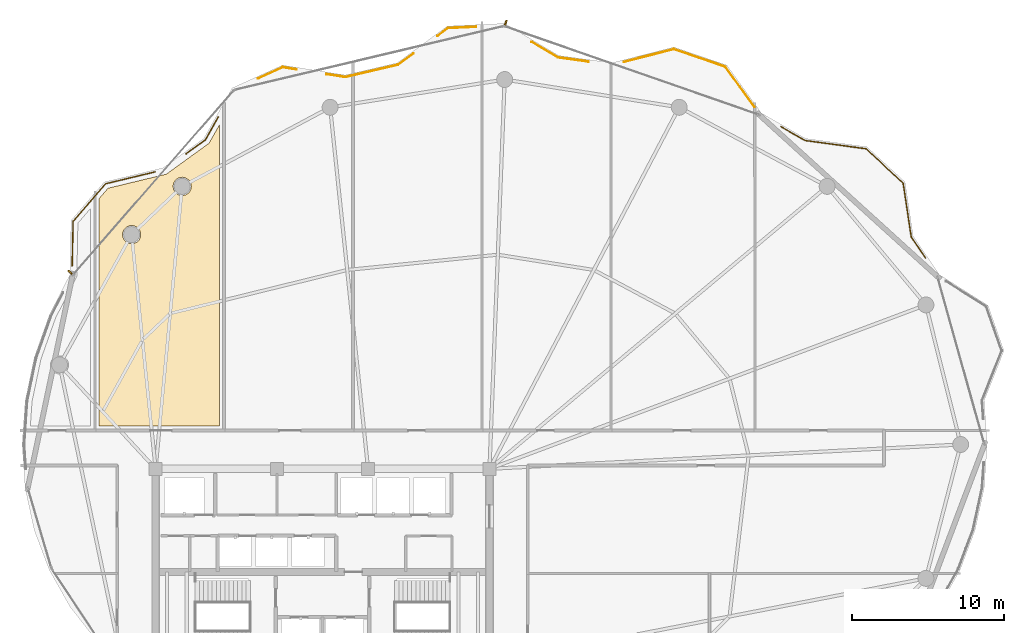
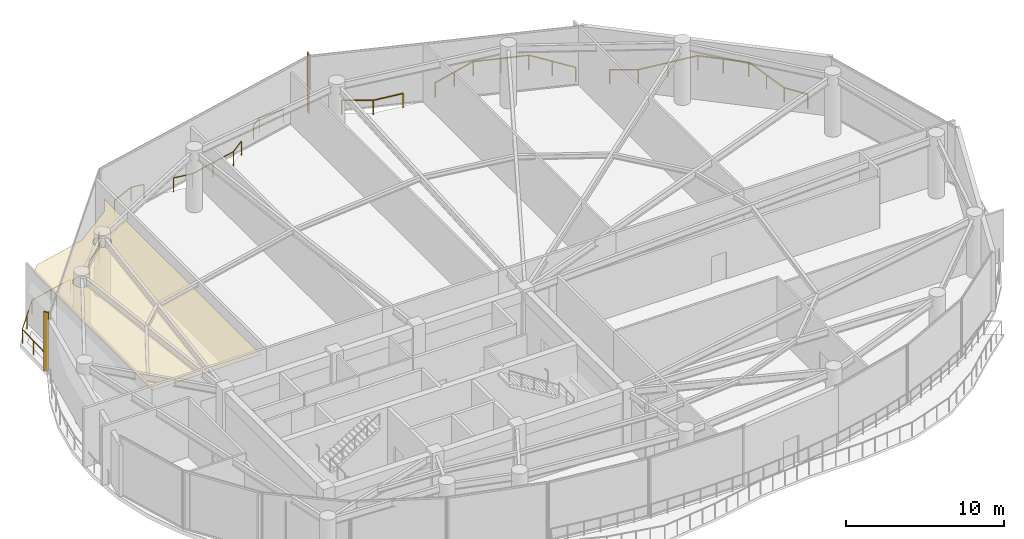
# One storey, part 28 of 28: 8 railings, 2 shading devices, 1 covering.
"""IFC4 building model written with IfcOpenShell, lengths in metres."""

from ifc_helpers import new_model, si_unit, direction, frame, origin, origin_2d, place, context, subcontext, project, spatial, polyline, rectangle, outline, extrude, material, layer, layer_set, type_object, element, save


model = new_model("IFC4")

# Units and contexts
model_context = context("Model", 3, precision=1e-05, world=origin(), true_north=direction((0.0, 1.0)))
body_context = subcontext(model_context, "Body", "Model", "MODEL_VIEW")
ifc_project = project(units=[si_unit("LENGTHUNIT", "METRE"), si_unit("AREAUNIT", "SQUARE_METRE"), si_unit("VOLUMEUNIT", "CUBIC_METRE"), si_unit("PLANEANGLEUNIT", "RADIAN"), si_unit("MASSUNIT", "GRAM", prefix="KILO")], contexts=[model_context])

# Site, building, storey
site_placement = place(None, origin())
site = spatial("IfcSite", under=ifc_project, at=site_placement, CompositionType="ELEMENT")
building_placement = place(site_placement, origin())
building = spatial("IfcBuilding", under=site, at=building_placement, Name="Kazevale Care Tower and Concert Hall", CompositionType="ELEMENT")
storey_placement = place(building_placement, frame((0.0, 0.0, 190.800048828125)))
storey = spatial("IfcBuildingStorey", under=building, at=storey_placement, Name="L50", CompositionType="ELEMENT", Elevation=190.800048828125)

# Covering
ifc_material_1 = material(Name="Acoustic Plaster and Hinoki Wood", Category="wood")
ifc_layer = layer(ifc_material_1, 0.0400390625)
ifc_layer_set = layer_set([ifc_layer], Name="Acoustic Plaster and Hinoki Wood")
covering_type = type_object("IfcCoveringType", Name="Acoustic Perforated Wood-Gypsum Ceiling", PredefinedType="CEILING", material=ifc_layer_set)
covering_placement = place(storey_placement, frame((0.0, 0.0, 3.909912109375)))
element("IfcCovering", 1, at=covering_placement, inside=storey, type_object=covering_type, Name="clg:L50:2", PredefinedType="CEILING", context=body_context, shape_type="SweptSolid", body=[
    extrude(outline(polyline([(26.219970703125, 39.205078125), (18.280029296875, 39.205078125), (18.280029296875, 54.2119140625), (18.864990234375, 54.888916015625), (22.7099609375, 55.818115234375), (25.52490234375, 57.85791015625), (26.219970703125, 59.093994140625), (26.219970703125, 39.205078125)]), holes=[polyline([(24.30908203125, 55.241943359375), (24.177978515625, 55.43798828125), (23.98193359375, 55.569091796875), (23.75, 55.614990234375), (23.51806640625, 55.569091796875), (23.322021484375, 55.43798828125), (23.19091796875, 55.241943359375), (23.14501953125, 55.010009765625), (23.19091796875, 54.778076171875), (23.322021484375, 54.58203125), (23.51806640625, 54.450927734375), (23.75, 54.405029296875), (23.98193359375, 54.450927734375), (24.177978515625, 54.58203125), (24.30908203125, 54.778076171875), (24.35498046875, 55.010009765625), (24.30908203125, 55.241943359375)]), polyline([(21.012939453125, 51.947998046875), (20.923095703125, 52.166015625), (20.756103515625, 52.3330078125), (20.5380859375, 52.423095703125), (20.302001953125, 52.423095703125), (20.083984375, 52.3330078125), (19.9169921875, 52.166015625), (19.826904296875, 51.947998046875), (19.826904296875, 51.7119140625), (19.9169921875, 51.493896484375), (20.083984375, 51.326904296875), (20.302001953125, 51.237060546875), (20.5380859375, 51.237060546875), (20.756103515625, 51.326904296875), (20.923095703125, 51.493896484375), (21.012939453125, 51.7119140625), (21.012939453125, 51.947998046875)])]), origin(), (0.0, 0.0, 1.0), 0.0400390625),
])

# Railings
ifc_material_2 = material(Name="Anodised Bronze Aluminium and Laminated Glass", Category="aluminium")
railing_type = type_object("IfcRailingType", Name="Balcony and Terrace Balustrade 1120", PredefinedType="BALUSTRADE", material=ifc_material_2)
railing_1_placement = place(storey_placement, frame((16.5009765625, 49.77392578125, 0.0)))
element("IfcRailing", 2, at=railing_1_placement, inside=storey, type_object=railing_type, Name="rail:L50:perim:2", PredefinedType="BALUSTRADE", context=body_context, shape_type="SweptSolid", body=[
    extrude(rectangle(XDim=0.048095703125, YDim=0.048095703125, at=origin_2d()), frame((0.0, 0.0, 1.09619140625), z_axis=(0.020776893953, 0.99978413704, 0.0), x_axis=(-0.99978413704, 0.020776893953, 0.0)), (0.0, 0.0, 1.0), 2.937744140625),
    extrude(rectangle(XDim=0.048095703125, YDim=0.048095703125, at=origin_2d()), frame((0.06103515625, 2.93701171875, 1.09619140625), z_axis=(0.653442230106, 0.75697638795, 0.0), x_axis=(-0.75697638795, 0.653442230106, 0.0)), (0.0, 0.0, 1.0), 3.256591796875),
    extrude(rectangle(XDim=0.048095703125, YDim=0.048095703125, at=origin_2d()), frame((2.18896484375, 5.402099609375, 1.09619140625), z_axis=(0.972048614054, 0.234779666741, 0.0), x_axis=(-0.234779666741, 0.972048614054, 0.0)), (0.0, 0.0, 1.0), 3.373291015625),
    extrude(rectangle(XDim=0.0419921875, YDim=0.0419921875, at=origin_2d()), origin(), (0.0, 0.0, 1.0), 1.072021484375),
    extrude(rectangle(XDim=0.0419921875, YDim=0.0419921875, at=origin_2d()), frame((0.030517578125, 1.468505859375, 0.0)), (0.0, 0.0, 1.0), 1.072021484375),
    extrude(rectangle(XDim=0.0419921875, YDim=0.0419921875, at=origin_2d()), frame((0.06103515625, 2.93701171875, 0.0)), (0.0, 0.0, 1.0), 1.072021484375),
    extrude(rectangle(XDim=0.0419921875, YDim=0.0419921875, at=origin_2d()), frame((1.125, 4.16943359375, 0.0)), (0.0, 0.0, 1.0), 1.072021484375),
    extrude(rectangle(XDim=0.0419921875, YDim=0.0419921875, at=origin_2d()), frame((2.18896484375, 5.402099609375, 0.0)), (0.0, 0.0, 1.0), 1.072021484375),
    extrude(rectangle(XDim=0.0419921875, YDim=0.0419921875, at=origin_2d()), frame((3.82861328125, 5.798095703125, 0.0)), (0.0, 0.0, 1.0), 1.072021484375),
    extrude(rectangle(XDim=0.0419921875, YDim=0.0419921875, at=origin_2d()), frame((5.468017578125, 6.194091796875, 0.0)), (0.0, 0.0, 1.0), 1.072021484375),
])
railing_2_placement = place(storey_placement, frame((24.01708984375, 57.159912109375, 0.0)))
element("IfcRailing", 3, at=railing_2_placement, inside=storey, type_object=railing_type, Name="rail:L50:perim:3", PredefinedType="BALUSTRADE", context=body_context, shape_type="SweptSolid", body=[
    extrude(rectangle(XDim=0.048095703125, YDim=0.048095703125, at=origin_2d()), frame((0.0, 0.0, 1.09619140625), z_axis=(0.809493304449, 0.587129108504, 0.0), x_axis=(-0.587129108504, 0.809493304449, 0.0)), (0.0, 0.0, 1.0), 1.56005859375),
    extrude(rectangle(XDim=0.048095703125, YDim=0.048095703125, at=origin_2d()), frame((1.262939453125, 0.916015625, 1.09619140625), z_axis=(0.490315047546, 0.871545267987, 0.0), x_axis=(-0.871545267987, 0.490315047546, 0.0)), (0.0, 0.0, 1.0), 1.723388671875),
    extrude(rectangle(XDim=0.0419921875, YDim=0.0419921875, at=origin_2d()), origin(), (0.0, 0.0, 1.0), 1.072021484375),
    extrude(rectangle(XDim=0.0419921875, YDim=0.0419921875, at=origin_2d()), frame((1.262939453125, 0.916015625, 0.0)), (0.0, 0.0, 1.0), 1.072021484375),
    extrude(rectangle(XDim=0.0419921875, YDim=0.0419921875, at=origin_2d()), frame((2.10791015625, 2.41796875, 0.0)), (0.0, 0.0, 1.0), 1.072021484375),
])
railing_3_placement = place(storey_placement, frame((28.763916015625, 62.125, 0.0)))
element("IfcRailing", 4, at=railing_3_placement, inside=storey, type_object=railing_type, Name="rail:L50:perim:4", PredefinedType="BALUSTRADE", context=body_context, shape_type="SweptSolid", body=[
    extrude(rectangle(XDim=0.048095703125, YDim=0.048095703125, at=origin_2d()), frame((0.0, 0.0, 1.09619140625), z_axis=(0.91054113019, 0.413418492853, 0.0), x_axis=(-0.413418492853, 0.91054113019, 0.0)), (0.0, 0.0, 1.0), 1.7705078125),
    extrude(rectangle(XDim=0.048095703125, YDim=0.048095703125, at=origin_2d()), frame((1.612060546875, 0.73193359375, 1.09619140625), z_axis=(0.98790083214, -0.155086897758, 0.0), x_axis=(0.155086897758, 0.98790083214, 0.0)), (0.0, 0.0, 1.0), 0.902099609375),
    extrude(rectangle(XDim=0.0419921875, YDim=0.0419921875, at=origin_2d()), origin(), (0.0, 0.0, 1.0), 1.072021484375),
    extrude(rectangle(XDim=0.0419921875, YDim=0.0419921875, at=origin_2d()), frame((1.612060546875, 0.73193359375, 0.0)), (0.0, 0.0, 1.0), 1.072021484375),
    extrude(rectangle(XDim=0.0419921875, YDim=0.0419921875, at=origin_2d()), frame((2.503173828125, 0.592041015625, 0.0)), (0.0, 0.0, 1.0), 1.072021484375),
])
railing_4_placement = place(storey_placement, frame((33.2509765625, 62.406005859375, 0.0)))
element("IfcRailing", 5, at=railing_4_placement, inside=storey, type_object=railing_type, Name="rail:L50:perim:5", PredefinedType="BALUSTRADE", context=body_context, shape_type="SweptSolid", body=[
    extrude(rectangle(XDim=0.048095703125, YDim=0.048095703125, at=origin_2d()), frame((0.0, 0.0, 1.09619140625), z_axis=(0.987942088413, -0.154823867485, 0.0), x_axis=(0.154823867485, 0.987942088413, 0.0)), (0.0, 0.0, 1.0), 1.266357421875),
    extrude(rectangle(XDim=0.048095703125, YDim=0.048095703125, at=origin_2d()), frame((1.2509765625, -0.196044921875, 1.09619140625), z_axis=(0.973807958737, 0.227372072823, 0.0), x_axis=(-0.227372072823, 0.973807958737, 0.0)), (0.0, 0.0, 1.0), 3.57568359375),
    extrude(rectangle(XDim=0.048095703125, YDim=0.048095703125, at=origin_2d()), frame((4.73291015625, 0.616943359375, 1.09619140625), z_axis=(0.805798451747, 0.592189881003, 0.0), x_axis=(-0.592189881003, 0.805798451747, 0.0)), (0.0, 0.0, 1.0), 1.2548828125),
    extrude(rectangle(XDim=0.0419921875, YDim=0.0419921875, at=origin_2d()), origin(), (0.0, 0.0, 1.0), 1.072021484375),
    extrude(rectangle(XDim=0.0419921875, YDim=0.0419921875, at=origin_2d()), frame((1.2509765625, -0.196044921875, 0.0)), (0.0, 0.0, 1.0), 1.072021484375),
    extrude(rectangle(XDim=0.0419921875, YDim=0.0419921875, at=origin_2d()), frame((2.991943359375, 0.21044921875, 0.0)), (0.0, 0.0, 1.0), 1.072021484375),
    extrude(rectangle(XDim=0.0419921875, YDim=0.0419921875, at=origin_2d()), frame((4.73291015625, 0.616943359375, 0.0)), (0.0, 0.0, 1.0), 1.072021484375),
    extrude(rectangle(XDim=0.0419921875, YDim=0.0419921875, at=origin_2d()), frame((5.744140625, 1.360107421875, 0.0)), (0.0, 0.0, 1.0), 1.072021484375),
])
railing_5_placement = place(storey_placement, frame((40.56396484375, 64.9189453125, 0.0)))
element("IfcRailing", 6, at=railing_5_placement, inside=storey, type_object=railing_type, Name="rail:L50:perim:6", PredefinedType="BALUSTRADE", context=body_context, shape_type="SweptSolid", body=[
    extrude(rectangle(XDim=0.048095703125, YDim=0.048095703125, at=origin_2d()), frame((0.0, 0.0, 1.09619140625), z_axis=(0.805713579929, 0.592305349561, 0.0), x_axis=(-0.592305349561, 0.805713579929, 0.0)), (0.0, 0.0, 1.0), 0.876220703125),
    extrude(rectangle(XDim=0.048095703125, YDim=0.048095703125, at=origin_2d()), frame((0.7060546875, 0.51904296875, 1.09619140625), z_axis=(0.998940261438, 0.046025580694, 0.0), x_axis=(-0.046025580694, 0.998940261438, 0.0)), (0.0, 0.0, 1.0), 1.845947265625),
    extrude(rectangle(XDim=0.0419921875, YDim=0.0419921875, at=origin_2d()), origin(), (0.0, 0.0, 1.0), 1.072021484375),
    extrude(rectangle(XDim=0.0419921875, YDim=0.0419921875, at=origin_2d()), frame((0.7060546875, 0.51904296875, 0.0)), (0.0, 0.0, 1.0), 1.072021484375),
    extrude(rectangle(XDim=0.0419921875, YDim=0.0419921875, at=origin_2d()), frame((2.550048828125, 0.60400390625, 0.0)), (0.0, 0.0, 1.0), 1.072021484375),
])
railing_6_placement = place(storey_placement, frame((46.783935546875, 64.529052734375, 0.0)))
element("IfcRailing", 7, at=railing_6_placement, inside=storey, type_object=railing_type, Name="rail:L50:perim:7", PredefinedType="BALUSTRADE", context=body_context, shape_type="SweptSolid", body=[
    extrude(rectangle(XDim=0.048095703125, YDim=0.048095703125, at=origin_2d()), frame((0.0, 0.0, 1.09619140625), z_axis=(0.859958006391, -0.510364798202, 0.0), x_axis=(0.510364798202, 0.859958006391, 0.0)), (0.0, 0.0, 1.0), 2.010498046875),
    extrude(rectangle(XDim=0.048095703125, YDim=0.048095703125, at=origin_2d()), frame((1.72900390625, -1.026123046875, 1.09619140625), z_axis=(0.990617777662, -0.136661693898, 0.0), x_axis=(0.136661693898, 0.990617777662, 0.0)), (0.0, 0.0, 1.0), 2.0400390625),
    extrude(rectangle(XDim=0.0419921875, YDim=0.0419921875, at=origin_2d()), origin(), (0.0, 0.0, 1.0), 1.072021484375),
    extrude(rectangle(XDim=0.0419921875, YDim=0.0419921875, at=origin_2d()), frame((1.72900390625, -1.026123046875, 0.0)), (0.0, 0.0, 1.0), 1.072021484375),
    extrude(rectangle(XDim=0.0419921875, YDim=0.0419921875, at=origin_2d()), frame((3.75, -1.304931640625, 0.0)), (0.0, 0.0, 1.0), 1.072021484375),
])
railing_7_placement = place(storey_placement, frame((52.8779296875, 63.212890625, 0.0)))
element("IfcRailing", 8, at=railing_7_placement, inside=storey, type_object=railing_type, Name="rail:L50:perim:8", PredefinedType="BALUSTRADE", context=body_context, shape_type="SweptSolid", body=[
    extrude(rectangle(XDim=0.048095703125, YDim=0.048095703125, at=origin_2d()), frame((0.0, 0.0, 1.09619140625), z_axis=(0.968841143246, 0.24768294078, 0.0), x_axis=(-0.24768294078, 0.968841143246, 0.0)), (0.0, 0.0, 1.0), 3.3681640625),
    extrude(rectangle(XDim=0.048095703125, YDim=0.048095703125, at=origin_2d()), frame((3.26318359375, 0.834228515625, 1.09619140625), z_axis=(0.946598937376, -0.322413479492, 0.0), x_axis=(0.322413479492, 0.946598937376, 0.0)), (0.0, 0.0, 1.0), 3.607421875),
    extrude(rectangle(XDim=0.048095703125, YDim=0.048095703125, at=origin_2d()), frame((6.677978515625, -0.328857421875, 1.09619140625), z_axis=(0.584785546416, -0.811187934269, 0.0), x_axis=(0.811187934269, 0.584785546416, 0.0)), (0.0, 0.0, 1.0), 3.26318359375),
    extrude(rectangle(XDim=0.0419921875, YDim=0.0419921875, at=origin_2d()), origin(), (0.0, 0.0, 1.0), 1.072021484375),
    extrude(rectangle(XDim=0.0419921875, YDim=0.0419921875, at=origin_2d()), frame((1.631591796875, 0.4169921875, 0.0)), (0.0, 0.0, 1.0), 1.072021484375),
    extrude(rectangle(XDim=0.0419921875, YDim=0.0419921875, at=origin_2d()), frame((3.26318359375, 0.834228515625, 0.0)), (0.0, 0.0, 1.0), 1.072021484375),
    extrude(rectangle(XDim=0.0419921875, YDim=0.0419921875, at=origin_2d()), frame((4.970703125, 0.252685546875, 0.0)), (0.0, 0.0, 1.0), 1.072021484375),
    extrude(rectangle(XDim=0.0419921875, YDim=0.0419921875, at=origin_2d()), frame((6.677978515625, -0.328857421875, 0.0)), (0.0, 0.0, 1.0), 1.072021484375),
    extrude(rectangle(XDim=0.0419921875, YDim=0.0419921875, at=origin_2d()), frame((7.632080078125, -1.65234375, 0.0)), (0.0, 0.0, 1.0), 1.072021484375),
    extrude(rectangle(XDim=0.0419921875, YDim=0.0419921875, at=origin_2d()), frame((8.586181640625, -2.975830078125, 0.0)), (0.0, 0.0, 1.0), 1.072021484375),
])
railing_8_placement = place(storey_placement, frame((63.200927734375, 58.946044921875, 0.0)))
element("IfcRailing", 9, at=railing_8_placement, inside=storey, type_object=railing_type, Name="rail:L50:perim:9", PredefinedType="BALUSTRADE", context=body_context, shape_type="SweptSolid", body=[
    extrude(rectangle(XDim=0.048095703125, YDim=0.048095703125, at=origin_2d()), frame((0.0, 0.0, 1.09619140625), z_axis=(0.866524193864, -0.49913507335, 0.0), x_axis=(0.49913507335, 0.866524193864, 0.0)), (0.0, 0.0, 1.0), 1.823486328125),
    extrude(rectangle(XDim=0.048095703125, YDim=0.048095703125, at=origin_2d()), frame((1.580078125, -0.91015625, 1.09619140625), z_axis=(0.990877699691, -0.134764180164, 0.0), x_axis=(0.134764180164, 0.990877699691, 0.0)), (0.0, 0.0, 1.0), 4.05810546875),
    extrude(rectangle(XDim=0.048095703125, YDim=0.048095703125, at=origin_2d()), frame((5.60107421875, -1.45703125, 1.09619140625), z_axis=(0.73603461898, -0.676943896983, 0.0), x_axis=(0.676943896983, 0.73603461898, 0.0)), (0.0, 0.0, 1.0), 3.334228515625),
    extrude(rectangle(XDim=0.048095703125, YDim=0.048095703125, at=origin_2d()), frame((8.05517578125, -3.714111328125, 1.09619140625), z_axis=(0.148940997459, -0.988846084725, 0.0), x_axis=(0.988846084725, 0.148940997459, 0.0)), (0.0, 0.0, 1.0), 3.597900390625),
    extrude(rectangle(XDim=0.048095703125, YDim=0.048095703125, at=origin_2d()), frame((8.591064453125, -7.27197265625, 1.09619140625), z_axis=(0.562761257822, -0.826619481197, 0.0), x_axis=(0.826619481197, 0.562761257822, 0.0)), (0.0, 0.0, 1.0), 1.671875),
    extrude(rectangle(XDim=0.0419921875, YDim=0.0419921875, at=origin_2d()), origin(), (0.0, 0.0, 1.0), 1.072021484375),
    extrude(rectangle(XDim=0.0419921875, YDim=0.0419921875, at=origin_2d()), frame((1.580078125, -0.91015625, 0.0)), (0.0, 0.0, 1.0), 1.072021484375),
    extrude(rectangle(XDim=0.0419921875, YDim=0.0419921875, at=origin_2d()), frame((3.590576171875, -1.18359375, 0.0)), (0.0, 0.0, 1.0), 1.072021484375),
    extrude(rectangle(XDim=0.0419921875, YDim=0.0419921875, at=origin_2d()), frame((5.60107421875, -1.45703125, 0.0)), (0.0, 0.0, 1.0), 1.072021484375),
    extrude(rectangle(XDim=0.0419921875, YDim=0.0419921875, at=origin_2d()), frame((6.828125, -2.58544921875, 0.0)), (0.0, 0.0, 1.0), 1.072021484375),
    extrude(rectangle(XDim=0.0419921875, YDim=0.0419921875, at=origin_2d()), frame((8.05517578125, -3.714111328125, 0.0)), (0.0, 0.0, 1.0), 1.072021484375),
    extrude(rectangle(XDim=0.0419921875, YDim=0.0419921875, at=origin_2d()), frame((8.3232421875, -5.4931640625, 0.0)), (0.0, 0.0, 1.0), 1.072021484375),
    extrude(rectangle(XDim=0.0419921875, YDim=0.0419921875, at=origin_2d()), frame((8.591064453125, -7.27197265625, 0.0)), (0.0, 0.0, 1.0), 1.072021484375),
    extrude(rectangle(XDim=0.0419921875, YDim=0.0419921875, at=origin_2d()), frame((9.531982421875, -8.654052734375, 0.0)), (0.0, 0.0, 1.0), 1.072021484375),
])

# Shading devices
ifc_material_3 = material(Name="Anodised Bronze Aluminium", Category="aluminium")
shading_device_type = type_object("IfcShadingDeviceType", Name="Waist Anodised Bronze-Stone Fin FIN-02", PredefinedType="USERDEFINED", material=ifc_material_3)
for number, where, z_axis, x_axis, name in (
    (10, (16.361328125, 49.347412109375, 0.0), (0.0, 0.0, 1.0), (-0.753792813636, 0.657112162503, 0.0), "cw:L50:f14:fin"),
    (11, (45.075927734375, 65.796630859375, 0.0), (0.0, 0.0, 1.0), (0.328536977169, 0.944491108816, 0.0), "cw:L50:f16:fin"),
):
    element("IfcShadingDevice", number, at=place(storey_placement, frame(where, z_axis=z_axis, x_axis=x_axis)), inside=storey, type_object=shading_device_type, Name=name, ObjectType="FIN", PredefinedType="USERDEFINED", context=body_context, shape_type="SweptSolid", body=[
        extrude(rectangle(XDim=0.340087890625, YDim=0.10009765625, at=origin_2d()), origin(), (0.0, 0.0, 1.0), 4.56005859375),
    ])

save(model, "model.ifc")
